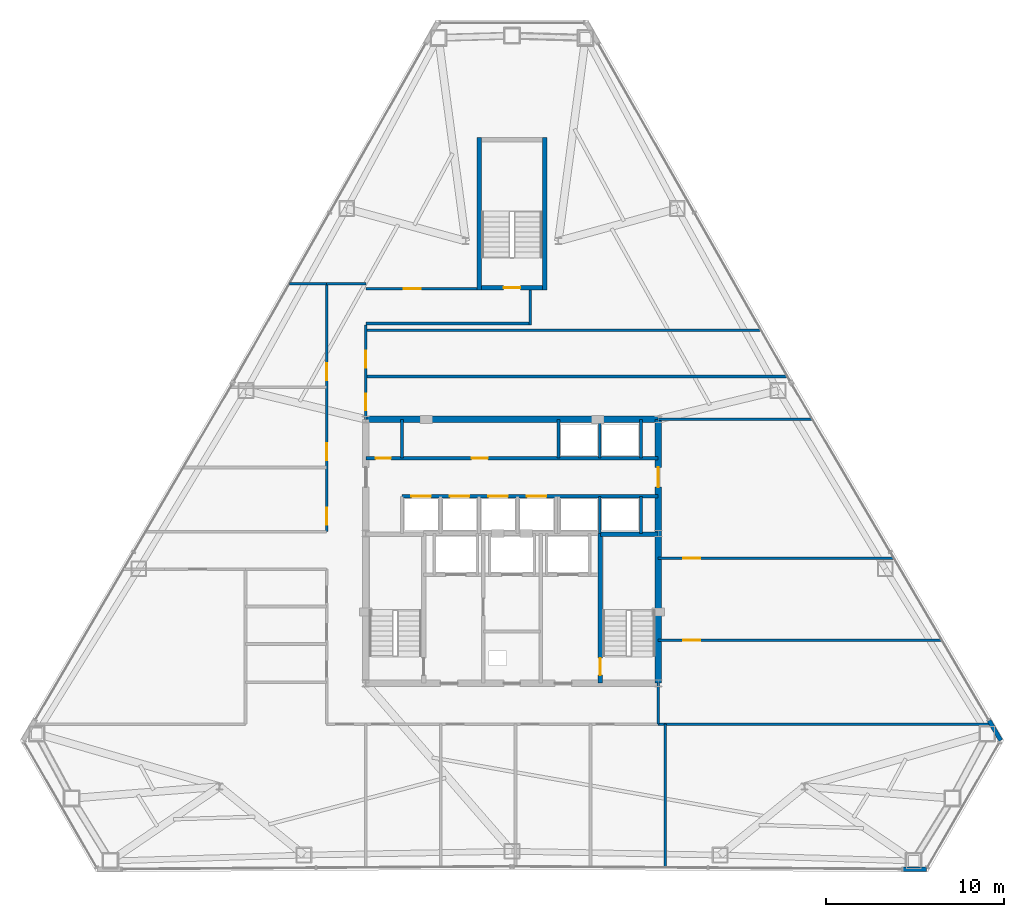
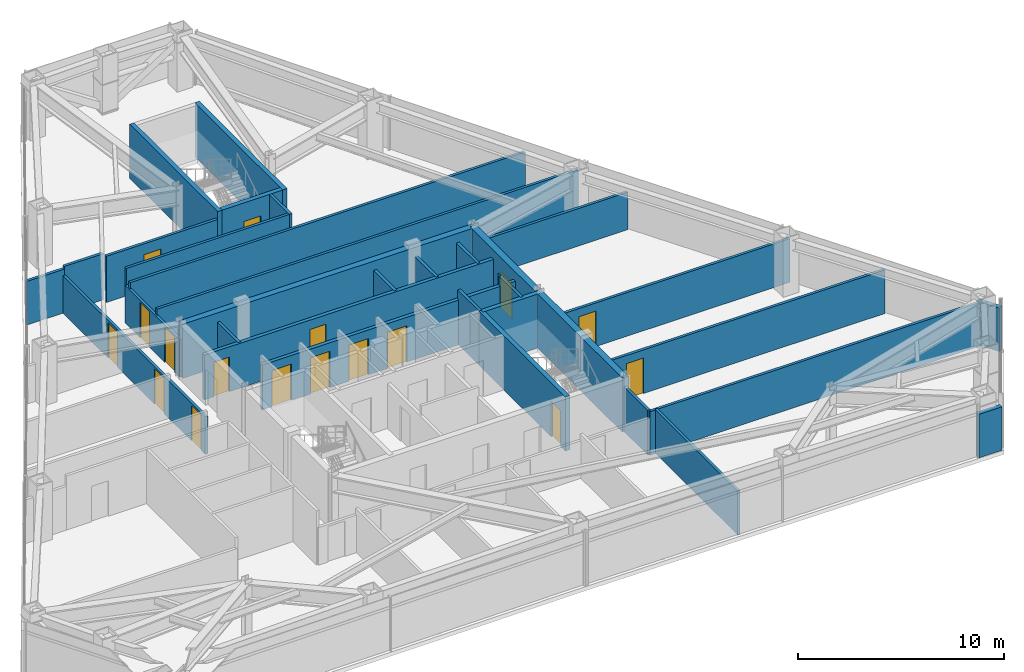
# One storey, part 11 of 13: 32 walls, 17 doors, 17 openings.
"""IFC4 building model written with IfcOpenShell, lengths in metres."""

from ifc_helpers import new_model, si_unit, direction, frame, frame_2d, origin, place, context, subcontext, project, spatial, rectangle, extrude, material, layer, layer_set, type_object, element, fill, save


model = new_model("IFC4")

# Units and contexts
model_context = context("Model", 3, precision=1e-05, world=origin(), true_north=direction((0.0, 1.0)))
body_context = subcontext(model_context, "Body", "Model", "MODEL_VIEW")
ifc_project = project(units=[si_unit("LENGTHUNIT", "METRE"), si_unit("AREAUNIT", "SQUARE_METRE"), si_unit("VOLUMEUNIT", "CUBIC_METRE"), si_unit("PLANEANGLEUNIT", "RADIAN"), si_unit("MASSUNIT", "GRAM", prefix="KILO")], contexts=[model_context])

# Site, building, storey
site_placement = place(None, origin())
site = spatial("IfcSite", under=ifc_project, at=site_placement, CompositionType="ELEMENT")
building_placement = place(site_placement, origin())
building = spatial("IfcBuilding", under=site, at=building_placement, Name="Varakhsha Concourse Tower", CompositionType="ELEMENT")
storey_placement = place(building_placement, frame((0.0, 0.0, 136.699951171875)))
storey = spatial("IfcBuildingStorey", under=building, at=storey_placement, Name="L39", CompositionType="ELEMENT", Elevation=136.699951171875)

# Wall
ifc_material_1 = material(Name="Concrete fc 65 MPa", Category="concrete")
ifc_layer_1 = layer(ifc_material_1, 0.35009765625, Name="WL-CORE-350")
ifc_layer_set_1 = layer_set([ifc_layer_1], Name="Concrete fc 65 MPa")
wall_type_1 = type_object("IfcWallType", Name="WL-CORE-350", PredefinedType="SHEAR", material=ifc_layer_set_1)
wall_1_placement = place(storey_placement, frame((31.800048828125, 31.199951171875, 0.0), z_axis=(0.0, 0.0, 1.0), x_axis=(1.0, 0.0, 0.0)))
element("IfcWall", 1, at=wall_1_placement, inside=storey, type_object=wall_type_1, Name="L39 Wall CWALL-N-L39", PredefinedType="SHEAR", context=body_context, shape_type="SweptSolid", body=[
    extrude(rectangle(XDim=16.39990234375, YDim=0.35009765625, at=frame_2d((8.199951171875, 0.0))), origin(), (0.0, 0.0, 1.0), 3.2099609375),
])

# Wall, opening, door
wall_2_placement = place(storey_placement, frame((48.199951171875, 16.39990234375, 0.0), z_axis=(0.0, 0.0, 1.0), x_axis=(0.0, 1.0, 0.0)))
wall_2 = element("IfcWall", 2, at=wall_2_placement, inside=storey, type_object=wall_type_1, Name="L39 Wall CWALL-E-L39", PredefinedType="SHEAR", context=body_context, shape_type="SweptSolid", body=[
    extrude(rectangle(XDim=14.800048828125, YDim=0.35009765625, at=frame_2d((7.39990234375, 0.0))), origin(), (0.0, 0.0, 1.0), 3.2099609375),
])
opening_1_placement = place(wall_2_placement, frame((11.0, 0.0, 0.0)))
opening_1 = element("IfcOpeningElement", 3, at=opening_1_placement, cuts=wall_2, Name="Opening DL-01", PredefinedType="OPENING", context=body_context, shape_type="SweptSolid", body=[
    extrude(rectangle(XDim=1.10009765625, YDim=2.14990234375, at=frame_2d((0.550048828125, 1.074951171875))), frame((0.0, 0.18505859375, 0.0), z_axis=(0.0, -1.0, 0.0), x_axis=(1.0, 0.0, 0.0)), (0.0, 0.0, 1.0), 0.3701171875),
])
ifc_material_2 = material(Name="Anodised Bronze Architectural Aluminium AA 6063-T6", Category="aluminium")
door_type_1 = type_object("IfcDoorType", Name="DR-LOB-1100", OperationType="NOTDEFINED", PredefinedType="DOOR", material=ifc_material_2)
door_1_placement = place(opening_1_placement, origin())
door_1 = element("IfcDoor", 4, at=door_1_placement, inside=storey, type_object=door_type_1, Name="L39 Lift Lobby East Concourse Door", OperationType="SINGLE_SWING_RIGHT", OverallHeight=2.14990234375, OverallWidth=1.10009765625, PredefinedType="DOOR", context=body_context, shape_type="SweptSolid", body=[
    extrude(rectangle(XDim=1.10009765625, YDim=2.14990234375, at=frame_2d((0.550048828125, 1.074951171875))), frame((0.0, 0.02490234375, 0.0), z_axis=(0.0, -1.0, 0.0), x_axis=(1.0, 0.0, 0.0)), (0.0, 0.0, 1.0), 0.050048828125),
])
fill(opening_1, door_1)

# Walls
ifc_material_3 = material(Name="Concrete fc 45 MPa", Category="concrete")
ifc_layer_2 = layer(ifc_material_3, 0.239990234375, Name="WL-EXT-CRN-240")
ifc_layer_set_2 = layer_set([ifc_layer_2], Name="Concrete fc 45 MPa")
wall_type_2 = type_object("IfcWallType", Name="WL-EXT-CRN-240", PredefinedType="SHEAR", material=ifc_layer_set_2)
for number, where, z_axis, x_axis, name in (
    (5, (61.9453125, 5.96923828125, 0.0), (0.0, 0.0, 1.0), (0.999978318694, -0.006584993632, 0.0), "L39 Wind-Corner Shoulder Wall F6"),
    (6, (67.417236328125, 13.190673828125, 0.0), (0.0, 0.0, 1.0), (-0.50575330013, 0.86267815517, 0.0), "L39 Wind-Corner Shoulder Wall F8"),
):
    element("IfcWall", number, at=place(storey_placement, frame(where, z_axis=z_axis, x_axis=x_axis)), inside=storey, type_object=wall_type_2, Name=name, PredefinedType="SHEAR", context=body_context, shape_type="SweptSolid", body=[
        extrude(rectangle(XDim=1.297607421875, YDim=0.239990234375, at=frame_2d((0.64892578125, 0.0))), origin(), (0.0, 0.0, 1.0), 2.5830078125),
    ])
ifc_material_4 = material(Name="Fire-Rated Type X Gypsum Partition Assembly", Category="gypsum")
ifc_layer_3 = layer(ifc_material_4, 0.14990234375, Name="WL-PART-150")
ifc_layer_set_3 = layer_set([ifc_layer_3], Name="Fire-Rated Type X Gypsum Partition Assembly")
wall_type_3 = type_object("IfcWallType", Name="WL-PART-150", PredefinedType="PARTITIONING", material=ifc_layer_set_3)
wall_3_placement = place(storey_placement, frame((48.199951171875, 14.10009765625, 0.0), z_axis=(0.0, 0.0, 1.0), x_axis=(0.0, 1.0, 0.0)))
element("IfcWall", 7, at=wall_3_placement, inside=storey, type_object=wall_type_3, Name="L39 Wall CRW-SE-L39", PredefinedType="PARTITIONING", context=body_context, shape_type="SweptSolid", body=[
    extrude(rectangle(XDim=2.2998046875, YDim=0.14990234375, at=frame_2d((1.14990234375, 0.0))), origin(), (0.0, 0.0, 1.0), 2.6611328125),
])

# Wall, openings, doors
wall_4_placement = place(storey_placement, frame((29.60009765625, 24.89990234375, 0.0), z_axis=(0.0, 0.0, 1.0), x_axis=(0.0, 1.0, 0.0)))
wall_4 = element("IfcWall", 8, at=wall_4_placement, inside=storey, type_object=wall_type_3, Name="L39 Wall CRW-WN-L39", PredefinedType="PARTITIONING", context=body_context, shape_type="SweptSolid", body=[
    extrude(rectangle(XDim=13.900146484375, YDim=0.14990234375, at=frame_2d((6.9501953125, 0.0))), origin(), (0.0, 0.0, 1.0), 2.22509765625),
])
opening_2_placement = place(wall_4_placement, frame((0.39990234375, 0.0, 0.0)))
opening_2 = element("IfcOpeningElement", 9, at=opening_2_placement, cuts=wall_4, Name="Opening DF-05", PredefinedType="OPENING", context=body_context, shape_type="SweptSolid", body=[
    extrude(rectangle(XDim=0.949951171875, YDim=2.10009765625, at=frame_2d((0.47509765625, 1.050048828125))), frame((0.0, 0.0849609375, 0.0), z_axis=(0.0, -1.0, 0.0), x_axis=(1.0, 0.0, 0.0)), (0.0, 0.0, 1.0), 0.169921875),
])
opening_3_placement = place(wall_4_placement, frame((4.0, 0.0, 0.0)))
opening_3 = element("IfcOpeningElement", 10, at=opening_3_placement, cuts=wall_4, Name="Opening DF-05", PredefinedType="OPENING", context=body_context, shape_type="SweptSolid", body=[
    extrude(rectangle(XDim=0.949951171875, YDim=2.10009765625, at=frame_2d((0.47509765625, 1.050048828125))), frame((0.0, 0.0849609375, 0.0), z_axis=(0.0, -1.0, 0.0), x_axis=(1.0, 0.0, 0.0)), (0.0, 0.0, 1.0), 0.169921875),
])
opening_4_placement = place(wall_4_placement, frame((8.5, 0.0, 0.0)))
opening_4 = element("IfcOpeningElement", 11, at=opening_4_placement, cuts=wall_4, Name="Opening DF-05", PredefinedType="OPENING", context=body_context, shape_type="SweptSolid", body=[
    extrude(rectangle(XDim=0.949951171875, YDim=2.10009765625, at=frame_2d((0.47509765625, 1.050048828125))), frame((0.0, 0.0849609375, 0.0), z_axis=(0.0, -1.0, 0.0), x_axis=(1.0, 0.0, 0.0)), (0.0, 0.0, 1.0), 0.169921875),
])
ifc_material_5 = material(Name="Hollow Galvanised Steel Fire Door Assembly", Category="steel")
door_type_2 = type_object("IfcDoorType", Name="DR-FD60-950", OperationType="NOTDEFINED", PredefinedType="DOOR", material=ifc_material_5)
door_2_placement = place(opening_2_placement, origin())
door_2 = element("IfcDoor", 12, at=door_2_placement, inside=storey, type_object=door_type_2, Name="L39 Lab Staff Refreshment Kitchen L39-NW Door", OperationType="SINGLE_SWING_RIGHT", OverallHeight=2.10009765625, OverallWidth=0.949951171875, PredefinedType="DOOR", context=body_context, shape_type="SweptSolid", body=[
    extrude(rectangle(XDim=0.949951171875, YDim=2.10009765625, at=frame_2d((0.47509765625, 1.050048828125))), frame((0.0, 0.02490234375, 0.0), z_axis=(0.0, -1.0, 0.0), x_axis=(1.0, 0.0, 0.0)), (0.0, 0.0, 1.0), 0.050048828125),
])
fill(opening_2, door_2)
door_3_placement = place(opening_3_placement, origin())
door_3 = element("IfcDoor", 13, at=door_3_placement, inside=storey, type_object=door_type_2, Name="L39 Dry R&D Design Lab L39-W2 Door", OperationType="SINGLE_SWING_LEFT", OverallHeight=2.10009765625, OverallWidth=0.949951171875, PredefinedType="DOOR", context=body_context, shape_type="SweptSolid", body=[
    extrude(rectangle(XDim=0.949951171875, YDim=2.10009765625, at=frame_2d((0.47509765625, 1.050048828125))), frame((0.0, 0.02490234375, 0.0), z_axis=(0.0, -1.0, 0.0), x_axis=(1.0, 0.0, 0.0)), (0.0, 0.0, 1.0), 0.050048828125),
])
fill(opening_3, door_3)
door_4_placement = place(opening_4_placement, origin())
door_4 = element("IfcDoor", 14, at=door_4_placement, inside=storey, type_object=door_type_2, Name="L39 Dry R&D Design Lab L39-W3 Door", OperationType="SINGLE_SWING_RIGHT", OverallHeight=2.10009765625, OverallWidth=0.949951171875, PredefinedType="DOOR", context=body_context, shape_type="SweptSolid", body=[
    extrude(rectangle(XDim=0.949951171875, YDim=2.10009765625, at=frame_2d((0.47509765625, 1.050048828125))), frame((0.0, 0.02490234375, 0.0), z_axis=(0.0, -1.0, 0.0), x_axis=(1.0, 0.0, 0.0)), (0.0, 0.0, 1.0), 0.050048828125),
])
fill(opening_4, door_4)

wall_5_placement = place(storey_placement, frame((31.800048828125, 31.199951171875, 0.0), z_axis=(0.0, 0.0, 1.0), x_axis=(0.0, 1.0, 0.0)))
wall_5 = element("IfcWall", 15, at=wall_5_placement, inside=storey, type_object=wall_type_3, Name="L39 Wall CRW-NE-L39", PredefinedType="PARTITIONING", context=body_context, shape_type="SweptSolid", body=[
    extrude(rectangle(XDim=5.300048828125, YDim=0.14990234375, at=frame_2d((2.64990234375, 0.0))), origin(), (0.0, 0.0, 1.0), 2.22509765625),
])
opening_5_placement = place(wall_5_placement, frame((0.5, 0.0, 0.0)))
opening_5 = element("IfcOpeningElement", 16, at=opening_5_placement, cuts=wall_5, Name="Opening DF-05", PredefinedType="OPENING", context=body_context, shape_type="SweptSolid", body=[
    extrude(rectangle(XDim=0.949951171875, YDim=2.10009765625, at=frame_2d((0.47509765625, 1.050048828125))), frame((0.0, 0.0849609375, 0.0), z_axis=(0.0, -1.0, 0.0), x_axis=(1.0, 0.0, 0.0)), (0.0, 0.0, 1.0), 0.169921875),
])
opening_6_placement = place(wall_5_placement, frame((2.89990234375, 0.0, 0.0)))
opening_6 = element("IfcOpeningElement", 17, at=opening_6_placement, cuts=wall_5, Name="Opening DF-05", PredefinedType="OPENING", context=body_context, shape_type="SweptSolid", body=[
    extrude(rectangle(XDim=0.949951171875, YDim=2.10009765625, at=frame_2d((0.47509765625, 1.050048828125))), frame((0.0, 0.0849609375, 0.0), z_axis=(0.0, -1.0, 0.0), x_axis=(1.0, 0.0, 0.0)), (0.0, 0.0, 1.0), 0.169921875),
])
door_5_placement = place(opening_5_placement, origin())
door_5 = element("IfcDoor", 18, at=door_5_placement, inside=storey, type_object=door_type_2, Name="L39 Mountain View BIM Coordination Workroom L39-NE1 Door", OperationType="SINGLE_SWING_RIGHT", OverallHeight=2.10009765625, OverallWidth=0.949951171875, PredefinedType="DOOR", context=body_context, shape_type="SweptSolid", body=[
    extrude(rectangle(XDim=0.949951171875, YDim=2.10009765625, at=frame_2d((0.47509765625, 1.050048828125))), frame((0.0, 0.02490234375, 0.0), z_axis=(0.0, -1.0, 0.0), x_axis=(1.0, 0.0, 0.0)), (0.0, 0.0, 1.0), 0.050048828125),
])
fill(opening_5, door_5)
door_6_placement = place(opening_6_placement, origin())
door_6 = element("IfcDoor", 19, at=door_6_placement, inside=storey, type_object=door_type_2, Name="L39 Apex Dry R&D Design Lab L39-NE2 Door", OperationType="SINGLE_SWING_RIGHT", OverallHeight=2.10009765625, OverallWidth=0.949951171875, PredefinedType="DOOR", context=body_context, shape_type="SweptSolid", body=[
    extrude(rectangle(XDim=0.949951171875, YDim=2.10009765625, at=frame_2d((0.47509765625, 1.050048828125))), frame((0.0, 0.02490234375, 0.0), z_axis=(0.0, -1.0, 0.0), x_axis=(1.0, 0.0, 0.0)), (0.0, 0.0, 1.0), 0.050048828125),
])
fill(opening_6, door_6)

# Walls
wall_6_placement = place(storey_placement, frame((29.60009765625, 38.800048828125, 0.0), z_axis=(0.0, 0.0, 1.0), x_axis=(1.0, 0.0, 0.0)))
element("IfcWall", 20, at=wall_6_placement, inside=storey, type_object=wall_type_3, Name="L39 Wall CRW-NCAP-L39", PredefinedType="PARTITIONING", context=body_context, shape_type="SweptSolid", body=[
    extrude(rectangle(XDim=2.199951171875, YDim=0.14990234375, at=frame_2d((1.10009765625, 0.0))), origin(), (0.0, 0.0, 1.0), 2.7431640625),
])
wall_7_placement = place(storey_placement, frame((48.60009765625, 6.06494140625, 0.0), z_axis=(0.0, 0.0, 1.0), x_axis=(0.0, 1.0, 0.0)))
element("IfcWall", 21, at=wall_7_placement, inside=storey, type_object=wall_type_3, Name="L39 Wall ODIV-S5-L39", PredefinedType="PARTITIONING", context=body_context, shape_type="SweptSolid", body=[
    extrude(rectangle(XDim=8.03515625, YDim=0.14990234375, at=frame_2d((4.017578125, 0.0))), origin(), (0.0, 0.0, 1.0), 2.589111328125),
])
wall_8_placement = place(storey_placement, frame((27.506103515625, 38.800048828125, 0.0), z_axis=(0.0, 0.0, 1.0), x_axis=(1.0, 0.0, 0.0)))
element("IfcWall", 22, at=wall_8_placement, inside=storey, type_object=wall_type_3, Name="L39 Wall ODIV-NWT-L39", PredefinedType="PARTITIONING", context=body_context, shape_type="SweptSolid", body=[
    extrude(rectangle(XDim=2.093994140625, YDim=0.14990234375, at=frame_2d((1.046875, 0.0))), origin(), (0.0, 0.0, 1.0), 2.589111328125),
])
wall_9_placement = place(storey_placement, frame((48.199951171875, 31.199951171875, 0.0), z_axis=(0.0, 0.0, 1.0), x_axis=(1.0, 0.0, 0.0)))
element("IfcWall", 23, at=wall_9_placement, inside=storey, type_object=wall_type_3, Name="L39 Wall ODIV-NEB-L39", PredefinedType="PARTITIONING", context=body_context, shape_type="SweptSolid", body=[
    extrude(rectangle(XDim=8.650390625, YDim=0.14990234375, at=frame_2d((4.3251953125, 0.0))), origin(), (0.0, 0.0, 1.0), 2.22509765625),
])
wall_10_placement = place(storey_placement, frame((31.800048828125, 33.60009765625, 0.0), z_axis=(0.0, 0.0, 1.0), x_axis=(1.0, 0.0, 0.0)))
element("IfcWall", 24, at=wall_10_placement, inside=storey, type_object=wall_type_3, Name="L39 Wall ODIV-NE1-L39", PredefinedType="PARTITIONING", context=body_context, shape_type="SweptSolid", body=[
    extrude(rectangle(XDim=23.6494140625, YDim=0.14990234375, at=frame_2d((11.82470703125, 0.0))), origin(), (0.0, 0.0, 1.0), 2.589111328125),
])
wall_11_placement = place(storey_placement, frame((31.800048828125, 36.199951171875, 0.0), z_axis=(0.0, 0.0, 1.0), x_axis=(1.0, 0.0, 0.0)))
element("IfcWall", 25, at=wall_11_placement, inside=storey, type_object=wall_type_3, Name="L39 Wall ODIV-NE2-L39", PredefinedType="PARTITIONING", context=body_context, shape_type="SweptSolid", body=[
    extrude(rectangle(XDim=22.171630859375, YDim=0.14990234375, at=frame_2d((11.0859375, 0.0))), origin(), (0.0, 0.0, 1.0), 2.589111328125),
])
wall_12_placement = place(storey_placement, frame((48.199951171875, 14.10009765625, 0.0), z_axis=(0.0, 0.0, 1.0), x_axis=(1.0, 0.0, 0.0)))
element("IfcWall", 26, at=wall_12_placement, inside=storey, type_object=wall_type_3, Name="L39 Wall ODIV-EB0-L39", PredefinedType="PARTITIONING", context=body_context, shape_type="SweptSolid", body=[
    extrude(rectangle(XDim=18.678466796875, YDim=0.14990234375, at=frame_2d((9.33935546875, 0.0))), origin(), (0.0, 0.0, 1.0), 2.589111328125),
])

# Wall, opening, door
wall_13_placement = place(storey_placement, frame((48.199951171875, 18.800048828125, 0.0), z_axis=(0.0, 0.0, 1.0), x_axis=(1.0, 0.0, 0.0)))
wall_13 = element("IfcWall", 27, at=wall_13_placement, inside=storey, type_object=wall_type_3, Name="L39 Wall ODIV-E1-L39", PredefinedType="PARTITIONING", context=body_context, shape_type="SweptSolid", body=[
    extrude(rectangle(XDim=15.922119140625, YDim=0.14990234375, at=frame_2d((7.9609375, 0.0))), origin(), (0.0, 0.0, 1.0), 2.589111328125),
])
opening_7_placement = place(wall_13_placement, frame((1.39990234375, 0.0, 0.0)))
opening_7 = element("IfcOpeningElement", 28, at=opening_7_placement, cuts=wall_13, Name="Opening DF-05", PredefinedType="OPENING", context=body_context, shape_type="SweptSolid", body=[
    extrude(rectangle(XDim=0.949951171875, YDim=2.10009765625, at=frame_2d((0.47509765625, 1.050048828125))), frame((0.0, 0.0849609375, 0.0), z_axis=(0.0, -1.0, 0.0), x_axis=(1.0, 0.0, 0.0)), (0.0, 0.0, 1.0), 0.169921875),
])
door_7_placement = place(opening_7_placement, origin())
door_7 = element("IfcDoor", 29, at=door_7_placement, inside=storey, type_object=door_type_2, Name="L39 East Suite Interconnect Door 1", OperationType="SINGLE_SWING_LEFT", OverallHeight=2.10009765625, OverallWidth=0.949951171875, PredefinedType="DOOR", context=body_context, shape_type="SweptSolid", body=[
    extrude(rectangle(XDim=0.949951171875, YDim=2.10009765625, at=frame_2d((0.47509765625, 1.050048828125))), frame((0.0, 0.02490234375, 0.0), z_axis=(0.0, -1.0, 0.0), x_axis=(1.0, 0.0, 0.0)), (0.0, 0.0, 1.0), 0.050048828125),
])
fill(opening_7, door_7)

wall_14_placement = place(storey_placement, frame((48.199951171875, 23.39990234375, 0.0), z_axis=(0.0, 0.0, 1.0), x_axis=(1.0, 0.0, 0.0)))
wall_14 = element("IfcWall", 30, at=wall_14_placement, inside=storey, type_object=wall_type_3, Name="L39 Wall ODIV-E2-L39", PredefinedType="PARTITIONING", context=body_context, shape_type="SweptSolid", body=[
    extrude(rectangle(XDim=13.224609375, YDim=0.14990234375, at=frame_2d((6.6123046875, 0.0))), origin(), (0.0, 0.0, 1.0), 2.589111328125),
])
opening_8_placement = place(wall_14_placement, frame((1.39990234375, 0.0, 0.0)))
opening_8 = element("IfcOpeningElement", 31, at=opening_8_placement, cuts=wall_14, Name="Opening DF-05", PredefinedType="OPENING", context=body_context, shape_type="SweptSolid", body=[
    extrude(rectangle(XDim=0.949951171875, YDim=2.10009765625, at=frame_2d((0.47509765625, 1.050048828125))), frame((0.0, 0.0849609375, 0.0), z_axis=(0.0, -1.0, 0.0), x_axis=(1.0, 0.0, 0.0)), (0.0, 0.0, 1.0), 0.169921875),
])
door_8_placement = place(opening_8_placement, origin())
door_8 = element("IfcDoor", 32, at=door_8_placement, inside=storey, type_object=door_type_2, Name="L39 East Suite Interconnect Door 2", OperationType="SINGLE_SWING_RIGHT", OverallHeight=2.10009765625, OverallWidth=0.949951171875, PredefinedType="DOOR", context=body_context, shape_type="SweptSolid", body=[
    extrude(rectangle(XDim=0.949951171875, YDim=2.10009765625, at=frame_2d((0.47509765625, 1.050048828125))), frame((0.0, 0.02490234375, 0.0), z_axis=(0.0, -1.0, 0.0), x_axis=(1.0, 0.0, 0.0)), (0.0, 0.0, 1.0), 0.050048828125),
])
fill(opening_8, door_8)

# Wall
wall_15_placement = place(storey_placement, frame((31.800048828125, 36.574951171875, 0.0), z_axis=(0.0, 0.0, 1.0), x_axis=(1.0, 0.0, 0.0)))
element("IfcWall", 33, at=wall_15_placement, inside=storey, type_object=wall_type_3, Name="L39 Wall STLK-S-L39", PredefinedType="PARTITIONING", context=body_context, shape_type="SweptSolid", body=[
    extrude(rectangle(XDim=9.14990234375, YDim=0.14990234375, at=frame_2d((4.574951171875, 0.0))), origin(), (0.0, 0.0, 1.0), 3.2099609375),
])

# Wall, opening, door
wall_16_placement = place(storey_placement, frame((31.800048828125, 38.52490234375, 0.0), z_axis=(0.0, 0.0, 1.0), x_axis=(1.0, 0.0, 0.0)))
wall_16 = element("IfcWall", 34, at=wall_16_placement, inside=storey, type_object=wall_type_3, Name="L39 Wall STLK-N-L39", PredefinedType="PARTITIONING", context=body_context, shape_type="SweptSolid", body=[
    extrude(rectangle(XDim=6.25, YDim=0.14990234375, at=frame_2d((3.125, 0.0))), origin(), (0.0, 0.0, 1.0), 2.7431640625),
])
opening_9_placement = place(wall_16_placement, frame((2.125, 0.0, 0.0)))
opening_9 = element("IfcOpeningElement", 35, at=opening_9_placement, cuts=wall_16, Name="Opening DF-05", PredefinedType="OPENING", context=body_context, shape_type="SweptSolid", body=[
    extrude(rectangle(XDim=0.949951171875, YDim=2.10009765625, at=frame_2d((0.47509765625, 1.050048828125))), frame((0.0, 0.0849609375, 0.0), z_axis=(0.0, -1.0, 0.0), x_axis=(1.0, 0.0, 0.0)), (0.0, 0.0, 1.0), 0.169921875),
])
door_9_placement = place(opening_9_placement, origin())
door_9 = element("IfcDoor", 36, at=door_9_placement, inside=storey, type_object=door_type_2, Name="L39 Apex Dry R&D Design Lab L39-NE3 Door", OperationType="SINGLE_SWING_RIGHT", OverallHeight=2.10009765625, OverallWidth=0.949951171875, PredefinedType="DOOR", context=body_context, shape_type="SweptSolid", body=[
    extrude(rectangle(XDim=0.949951171875, YDim=2.10009765625, at=frame_2d((0.47509765625, 1.050048828125))), frame((0.0, 0.02490234375, 0.0), z_axis=(0.0, -1.0, 0.0), x_axis=(1.0, 0.0, 0.0)), (0.0, 0.0, 1.0), 0.050048828125),
])
fill(opening_9, door_9)

# Wall
wall_17_placement = place(storey_placement, frame((41.02490234375, 36.5, 0.0), z_axis=(0.0, 0.0, 1.0), x_axis=(0.0, 1.0, 0.0)))
element("IfcWall", 37, at=wall_17_placement, inside=storey, type_object=wall_type_3, Name="L39 Wall STLK-E-L39", PredefinedType="PARTITIONING", context=body_context, shape_type="SweptSolid", body=[
    extrude(rectangle(XDim=1.949951171875, YDim=0.14990234375, at=frame_2d((0.97509765625, 0.0))), origin(), (0.0, 0.0, 1.0), 3.2099609375),
])

# Wall, openings, doors
ifc_layer_4 = layer(ifc_material_4, 0.199951171875, Name="WL-SHAFT-220")
ifc_layer_set_4 = layer_set([ifc_layer_4], Name="Fire-Rated Type X Gypsum Partition Assembly")
wall_type_4 = type_object("IfcWallType", Name="WL-SHAFT-220", PredefinedType="SOLIDWALL", material=ifc_layer_set_4)
wall_18_placement = place(storey_placement, frame((31.800048828125, 29.02001953125, 0.0), z_axis=(0.0, 0.0, 1.0), x_axis=(1.0, 0.0, 0.0)))
wall_18 = element("IfcWall", 38, at=wall_18_placement, inside=storey, type_object=wall_type_4, Name="L39 Wall PLW-N-L39", PredefinedType="SOLIDWALL", context=body_context, shape_type="SweptSolid", body=[
    extrude(rectangle(XDim=16.39990234375, YDim=0.199951171875, at=frame_2d((8.199951171875, 0.0))), origin(), (0.0, 0.0, 1.0), 2.6611328125),
])
opening_10_placement = place(wall_18_placement, frame((0.550048828125, 0.0, 0.0)))
opening_10 = element("IfcOpeningElement", 39, at=opening_10_placement, cuts=wall_18, Name="Opening DF-07", PredefinedType="OPENING", context=body_context, shape_type="SweptSolid", body=[
    extrude(rectangle(XDim=0.85009765625, YDim=2.050048828125, at=frame_2d((0.425048828125, 1.02490234375))), frame((0.0, 0.10986328125, 0.0), z_axis=(0.0, -1.0, 0.0), x_axis=(1.0, 0.0, 0.0)), (0.0, 0.0, 1.0), 0.219970703125),
])
opening_11_placement = place(wall_18_placement, frame((5.93994140625, 0.0, 0.0)))
opening_11 = element("IfcOpeningElement", 40, at=opening_11_placement, cuts=wall_18, Name="Opening DF-06", PredefinedType="OPENING", context=body_context, shape_type="SweptSolid", body=[
    extrude(rectangle(XDim=0.89990234375, YDim=2.10009765625, at=frame_2d((0.449951171875, 1.050048828125))), frame((0.0, 0.10986328125, 0.0), z_axis=(0.0, -1.0, 0.0), x_axis=(1.0, 0.0, 0.0)), (0.0, 0.0, 1.0), 0.219970703125),
])
door_type_3 = type_object("IfcDoorType", Name="DR-FD60-850", OperationType="NOTDEFINED", PredefinedType="DOOR", material=ifc_material_5)
door_10_placement = place(opening_10_placement, origin())
door_10 = element("IfcDoor", 41, at=door_10_placement, inside=storey, type_object=door_type_3, Name="L39 Core Janitor Closet Door", OperationType="SINGLE_SWING_LEFT", OverallHeight=2.050048828125, OverallWidth=0.85009765625, PredefinedType="DOOR", context=body_context, shape_type="SweptSolid", body=[
    extrude(rectangle(XDim=0.85009765625, YDim=2.050048828125, at=frame_2d((0.425048828125, 1.02490234375))), frame((0.0, 0.02490234375, 0.0), z_axis=(0.0, -1.0, 0.0), x_axis=(1.0, 0.0, 0.0)), (0.0, 0.0, 1.0), 0.050048828125),
])
fill(opening_10, door_10)
door_type_4 = type_object("IfcDoorType", Name="DR-FD60-900", OperationType="NOTDEFINED", PredefinedType="DOOR", material=ifc_material_5)
door_11_placement = place(opening_11_placement, origin())
door_11 = element("IfcDoor", 42, at=door_11_placement, inside=storey, type_object=door_type_4, Name="L39 Tenant Archive and IT Server Room Door", OperationType="SINGLE_SWING_LEFT", OverallHeight=2.10009765625, OverallWidth=0.89990234375, PredefinedType="DOOR", context=body_context, shape_type="SweptSolid", body=[
    extrude(rectangle(XDim=0.89990234375, YDim=2.10009765625, at=frame_2d((0.449951171875, 1.050048828125))), frame((0.0, 0.02490234375, 0.0), z_axis=(0.0, -1.0, 0.0), x_axis=(1.0, 0.0, 0.0)), (0.0, 0.0, 1.0), 0.050048828125),
])
fill(opening_11, door_11)

wall_19_placement = place(storey_placement, frame((33.820068359375, 26.8798828125, 0.0), z_axis=(0.0, 0.0, 1.0), x_axis=(1.0, 0.0, 0.0)))
wall_19 = element("IfcWall", 43, at=wall_19_placement, inside=storey, type_object=wall_type_4, Name="L39 Wall PLW-S-L39", PredefinedType="SOLIDWALL", context=body_context, shape_type="SweptSolid", body=[
    extrude(rectangle(XDim=14.3798828125, YDim=0.199951171875, at=frame_2d((7.18994140625, 0.0))), origin(), (0.0, 0.0, 1.0), 2.6611328125),
])
opening_12_placement = place(wall_19_placement, frame((0.530029296875, 0.0, 0.0)))
opening_12 = element("IfcOpeningElement", 44, at=opening_12_placement, cuts=wall_19, Name="Opening LD-LF-P05", PredefinedType="OPENING", context=body_context, shape_type="SweptSolid", body=[
    extrude(rectangle(XDim=1.10009765625, YDim=2.14990234375, at=frame_2d((0.550048828125, 1.074951171875))), frame((0.0, 0.10986328125, 0.0), z_axis=(0.0, -1.0, 0.0), x_axis=(1.0, 0.0, 0.0)), (0.0, 0.0, 1.0), 0.219970703125),
])
opening_13_placement = place(wall_19_placement, frame((2.68994140625, 0.0, 0.0)))
opening_13 = element("IfcOpeningElement", 45, at=opening_13_placement, cuts=wall_19, Name="Opening LD-LF-P06", PredefinedType="OPENING", context=body_context, shape_type="SweptSolid", body=[
    extrude(rectangle(XDim=1.10009765625, YDim=2.14990234375, at=frame_2d((0.550048828125, 1.074951171875))), frame((0.0, 0.10986328125, 0.0), z_axis=(0.0, -1.0, 0.0), x_axis=(1.0, 0.0, 0.0)), (0.0, 0.0, 1.0), 0.219970703125),
])
opening_14_placement = place(wall_19_placement, frame((4.85009765625, 0.0, 0.0)))
opening_14 = element("IfcOpeningElement", 46, at=opening_14_placement, cuts=wall_19, Name="Opening LD-LF-P07", PredefinedType="OPENING", context=body_context, shape_type="SweptSolid", body=[
    extrude(rectangle(XDim=1.10009765625, YDim=2.14990234375, at=frame_2d((0.550048828125, 1.074951171875))), frame((0.0, 0.10986328125, 0.0), z_axis=(0.0, -1.0, 0.0), x_axis=(1.0, 0.0, 0.0)), (0.0, 0.0, 1.0), 0.219970703125),
])
opening_15_placement = place(wall_19_placement, frame((7.010009765625, 0.0, 0.0)))
opening_15 = element("IfcOpeningElement", 47, at=opening_15_placement, cuts=wall_19, Name="Opening LD-LF-P08", PredefinedType="OPENING", context=body_context, shape_type="SweptSolid", body=[
    extrude(rectangle(XDim=1.10009765625, YDim=2.14990234375, at=frame_2d((0.550048828125, 1.074951171875))), frame((0.0, 0.10986328125, 0.0), z_axis=(0.0, -1.0, 0.0), x_axis=(1.0, 0.0, 0.0)), (0.0, 0.0, 1.0), 0.219970703125),
])
ifc_material_6 = material(Name="Brushed Austenitic Stainless Steel AISI 316", Category="steel")
door_type_5 = type_object("IfcDoorType", Name="DR-LD-1100", OperationType="DOUBLE_DOOR_SLIDING", PredefinedType="DOOR", material=ifc_material_6)
door_12_placement = place(opening_12_placement, origin())
door_12 = element("IfcDoor", 48, at=door_12_placement, inside=storey, type_object=door_type_5, Name="Lift Landing Door LF-P05 L39", OperationType="DOUBLE_DOOR_SLIDING", OverallHeight=2.14990234375, OverallWidth=1.10009765625, PredefinedType="DOOR", context=body_context, shape_type="SweptSolid", body=[
    extrude(rectangle(XDim=1.10009765625, YDim=2.14990234375, at=frame_2d((0.550048828125, 1.074951171875))), frame((0.0, 0.02490234375, 0.0), z_axis=(0.0, -1.0, 0.0), x_axis=(1.0, 0.0, 0.0)), (0.0, 0.0, 1.0), 0.050048828125),
])
fill(opening_12, door_12)
door_13_placement = place(opening_13_placement, origin())
door_13 = element("IfcDoor", 49, at=door_13_placement, inside=storey, type_object=door_type_5, Name="Lift Landing Door LF-P06 L39", OperationType="DOUBLE_DOOR_SLIDING", OverallHeight=2.14990234375, OverallWidth=1.10009765625, PredefinedType="DOOR", context=body_context, shape_type="SweptSolid", body=[
    extrude(rectangle(XDim=1.10009765625, YDim=2.14990234375, at=frame_2d((0.550048828125, 1.074951171875))), frame((0.0, 0.02490234375, 0.0), z_axis=(0.0, -1.0, 0.0), x_axis=(1.0, 0.0, 0.0)), (0.0, 0.0, 1.0), 0.050048828125),
])
fill(opening_13, door_13)
door_14_placement = place(opening_14_placement, origin())
door_14 = element("IfcDoor", 50, at=door_14_placement, inside=storey, type_object=door_type_5, Name="Lift Landing Door LF-P07 L39", OperationType="DOUBLE_DOOR_SLIDING", OverallHeight=2.14990234375, OverallWidth=1.10009765625, PredefinedType="DOOR", context=body_context, shape_type="SweptSolid", body=[
    extrude(rectangle(XDim=1.10009765625, YDim=2.14990234375, at=frame_2d((0.550048828125, 1.074951171875))), frame((0.0, 0.02490234375, 0.0), z_axis=(0.0, -1.0, 0.0), x_axis=(1.0, 0.0, 0.0)), (0.0, 0.0, 1.0), 0.050048828125),
])
fill(opening_14, door_14)
door_15_placement = place(opening_15_placement, origin())
door_15 = element("IfcDoor", 51, at=door_15_placement, inside=storey, type_object=door_type_5, Name="Lift Landing Door LF-P08 L39", OperationType="DOUBLE_DOOR_SLIDING", OverallHeight=2.14990234375, OverallWidth=1.10009765625, PredefinedType="DOOR", context=body_context, shape_type="SweptSolid", body=[
    extrude(rectangle(XDim=1.10009765625, YDim=2.14990234375, at=frame_2d((0.550048828125, 1.074951171875))), frame((0.0, 0.02490234375, 0.0), z_axis=(0.0, -1.0, 0.0), x_axis=(1.0, 0.0, 0.0)), (0.0, 0.0, 1.0), 0.050048828125),
])
fill(opening_15, door_15)

# Walls
for number, where, z_axis, x_axis, name in (
    (52, (33.820068359375, 29.02001953125, 0.0), (0.0, 0.0, 1.0), (0.0, 1.0, 0.0), "L39 Wall WBOH-E1-L39"),
    (53, (42.60009765625, 29.02001953125, 0.0), (0.0, 0.0, 1.0), (0.0, 1.0, 0.0), "L39 Wall SHW-LF-P09-W-L39"),
    (54, (44.919921875, 29.02001953125, 0.0), (0.0, 0.0, 1.0), (0.0, 1.0, 0.0), "L39 Wall SHW-LF-P09-E-L39"),
    (55, (47.239990234375, 29.02001953125, 0.0), (0.0, 0.0, 1.0), (0.0, 1.0, 0.0), "L39 Wall SHW-LF-P10-E-L39"),
):
    element("IfcWall", number, at=place(storey_placement, frame(where, z_axis=z_axis, x_axis=x_axis)), inside=storey, type_object=wall_type_4, Name=name, PredefinedType="SOLIDWALL", context=body_context, shape_type="SweptSolid", body=[
        extrude(rectangle(XDim=2.179931640625, YDim=0.159912109375, at=frame_2d((1.08984375, 0.0))), origin(), (0.0, 0.0, 1.0), 2.6611328125),
    ])
for number, where, z_axis, x_axis, name in (
    (56, (44.919921875, 24.800048828125, 0.0), (0.0, 0.0, 1.0), (0.0, 1.0, 0.0), "L39 Wall SHW-LF-P11-E-L39"),
    (57, (47.239990234375, 24.800048828125, 0.0), (0.0, 0.0, 1.0), (0.0, 1.0, 0.0), "L39 Wall SHW-LF-P12-E-L39"),
):
    element("IfcWall", number, at=place(storey_placement, frame(where, z_axis=z_axis, x_axis=x_axis)), inside=storey, type_object=wall_type_4, Name=name, PredefinedType="SOLIDWALL", context=body_context, shape_type="SweptSolid", body=[
        extrude(rectangle(XDim=2.079833984375, YDim=0.159912109375, at=frame_2d((1.0400390625, 0.0))), origin(), (0.0, 0.0, 1.0), 3.2099609375),
    ])

# Wall, opening, door
ifc_layer_5 = layer(ifc_material_3, 0.25, Name="WL-STAIR-250")
ifc_layer_set_5 = layer_set([ifc_layer_5], Name="Concrete fc 45 MPa")
wall_type_5 = type_object("IfcWallType", Name="WL-STAIR-250", PredefinedType="SHEAR", material=ifc_layer_set_5)
wall_20_placement = place(storey_placement, frame((44.955078125, 16.39990234375, 0.0), z_axis=(0.0, 0.0, 1.0), x_axis=(0.0, 1.0, 0.0)))
wall_20 = element("IfcWall", 58, at=wall_20_placement, inside=storey, type_object=wall_type_5, Name="L39 Wall SWALL-ST2-W-L39", PredefinedType="SHEAR", context=body_context, shape_type="SweptSolid", body=[
    extrude(rectangle(XDim=8.400146484375, YDim=0.25, at=frame_2d((4.2001953125, 0.0))), origin(), (0.0, 0.0, 1.0), 3.2099609375),
])
opening_16_placement = place(wall_20_placement, frame((0.449951171875, 0.0, 0.0)))
opening_16 = element("IfcOpeningElement", 59, at=opening_16_placement, cuts=wall_20, Name="Opening DF-03", PredefinedType="OPENING", context=body_context, shape_type="SweptSolid", body=[
    extrude(rectangle(XDim=0.949951171875, YDim=2.10009765625, at=frame_2d((0.47509765625, 1.050048828125))), frame((0.0, 0.135009765625, 0.0), z_axis=(0.0, -1.0, 0.0), x_axis=(1.0, 0.0, 0.0)), (0.0, 0.0, 1.0), 0.27001953125),
])
door_type_6 = type_object("IfcDoorType", Name="DR-FD90-950", OperationType="NOTDEFINED", PredefinedType="DOOR", material=ifc_material_5)
door_16_placement = place(opening_16_placement, origin())
door_16 = element("IfcDoor", 60, at=door_16_placement, inside=storey, type_object=door_type_6, Name="L39 Stair ST2 Fire Door", OperationType="SINGLE_SWING_RIGHT", OverallHeight=2.10009765625, OverallWidth=0.949951171875, PredefinedType="DOOR", context=body_context, shape_type="SweptSolid", body=[
    extrude(rectangle(XDim=0.949951171875, YDim=2.10009765625, at=frame_2d((0.47509765625, 1.050048828125))), frame((0.0, 0.02490234375, 0.0), z_axis=(0.0, -1.0, 0.0), x_axis=(1.0, 0.0, 0.0)), (0.0, 0.0, 1.0), 0.050048828125),
])
fill(opening_16, door_16)

# Walls
wall_21_placement = place(storey_placement, frame((44.955078125, 24.7548828125, 0.0), z_axis=(0.0, 0.0, 1.0), x_axis=(1.0, 0.0, 0.0)))
element("IfcWall", 61, at=wall_21_placement, inside=storey, type_object=wall_type_5, Name="L39 Wall SWALL-ST2-N-L39", PredefinedType="SHEAR", context=body_context, shape_type="SweptSolid", body=[
    extrude(rectangle(XDim=3.244873046875, YDim=0.25, at=frame_2d((1.62255859375, 0.0))), origin(), (0.0, 0.0, 1.0), 3.2099609375),
])
for number, where, z_axis, x_axis, name in (
    (62, (38.175048828125, 38.449951171875, 0.0), (0.0, 0.0, 1.0), (0.0, 1.0, 0.0), "L39 Wall SWALL-ST5-W-L39"),
    (63, (41.824951171875, 38.449951171875, 0.0), (0.0, 0.0, 1.0), (0.0, 1.0, 0.0), "L39 Wall SWALL-ST5-E-L39"),
):
    element("IfcWall", number, at=place(storey_placement, frame(where, z_axis=z_axis, x_axis=x_axis)), inside=storey, type_object=wall_type_5, Name=name, PredefinedType="SHEAR", context=body_context, shape_type="SweptSolid", body=[
        extrude(rectangle(XDim=8.550048828125, YDim=0.25, at=frame_2d((4.27490234375, 0.0))), origin(), (0.0, 0.0, 1.0), 3.2099609375),
    ])

# Wall, opening, door
wall_22_placement = place(storey_placement, frame((38.300048828125, 38.574951171875, 0.0), z_axis=(0.0, 0.0, 1.0), x_axis=(1.0, 0.0, 0.0)))
wall_22 = element("IfcWall", 64, at=wall_22_placement, inside=storey, type_object=wall_type_5, Name="L39 Wall SWALL-ST5-S-L39", PredefinedType="SHEAR", context=body_context, shape_type="SweptSolid", body=[
    extrude(rectangle(XDim=3.39990234375, YDim=0.25, at=frame_2d((1.699951171875, 0.0))), origin(), (0.0, 0.0, 1.0), 3.2099609375),
])
opening_17_placement = place(wall_22_placement, frame((1.22509765625, 0.0, 0.0)))
opening_17 = element("IfcOpeningElement", 65, at=opening_17_placement, cuts=wall_22, Name="Opening DF-03", PredefinedType="OPENING", context=body_context, shape_type="SweptSolid", body=[
    extrude(rectangle(XDim=0.949951171875, YDim=2.10009765625, at=frame_2d((0.47509765625, 1.050048828125))), frame((0.0, 0.135009765625, 0.0), z_axis=(0.0, -1.0, 0.0), x_axis=(1.0, 0.0, 0.0)), (0.0, 0.0, 1.0), 0.27001953125),
])
door_17_placement = place(opening_17_placement, origin())
door_17 = element("IfcDoor", 66, at=door_17_placement, inside=storey, type_object=door_type_6, Name="L39 Stair ST5 Fire Door", OperationType="SINGLE_SWING_RIGHT", OverallHeight=2.10009765625, OverallWidth=0.949951171875, PredefinedType="DOOR", context=body_context, shape_type="SweptSolid", body=[
    extrude(rectangle(XDim=0.949951171875, YDim=2.10009765625, at=frame_2d((0.47509765625, 1.050048828125))), frame((0.0, 0.02490234375, 0.0), z_axis=(0.0, -1.0, 0.0), x_axis=(1.0, 0.0, 0.0)), (0.0, 0.0, 1.0), 0.050048828125),
])
fill(opening_17, door_17)

save(model, "model.ifc")
